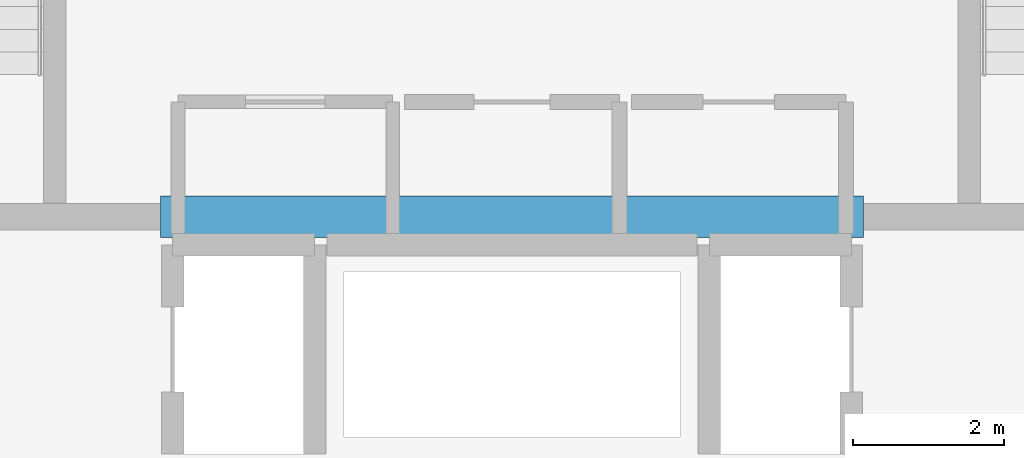
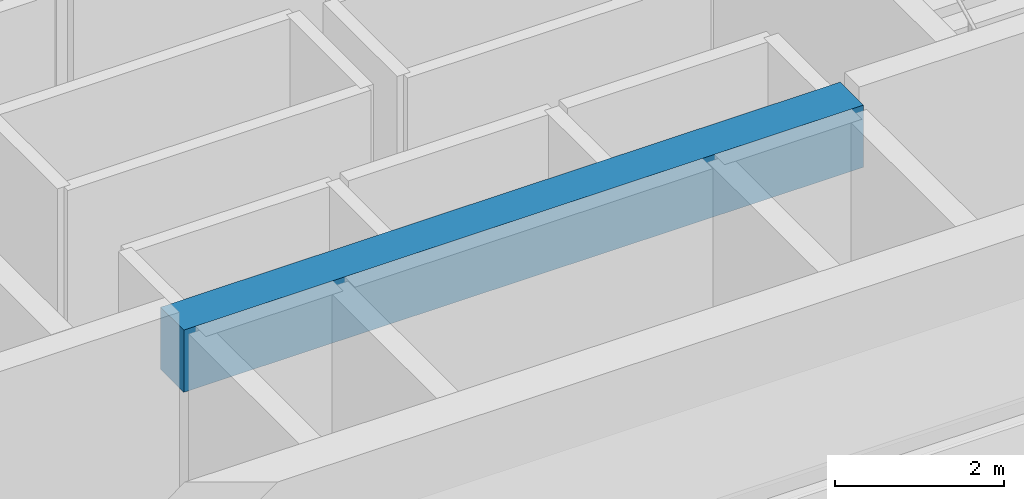
# One storey, part 9 of 43: 1 beam.
"""IFC4 building model written with IfcOpenShell, lengths in metres."""

from ifc_helpers import new_model, si_unit, direction, frame, origin, origin_2d, place, context, subcontext, project, spatial, rectangle, extrude, material, material_profile, profile_set, type_object, element, save


model = new_model("IFC4")

# Units and contexts
model_context = context("Model", 3, precision=1e-05, world=origin(), true_north=direction((0.0, 1.0)))
body_context = subcontext(model_context, "Body", "Model", "MODEL_VIEW")
ifc_project = project(units=[si_unit("LENGTHUNIT", "METRE"), si_unit("AREAUNIT", "SQUARE_METRE"), si_unit("VOLUMEUNIT", "CUBIC_METRE"), si_unit("PLANEANGLEUNIT", "RADIAN"), si_unit("MASSUNIT", "GRAM", prefix="KILO")], contexts=[model_context])

# Site, building, storey
site_placement = place(None, origin())
site = spatial("IfcSite", under=ifc_project, at=site_placement, CompositionType="ELEMENT")
building_placement = place(site_placement, origin())
building = spatial("IfcBuilding", under=site, at=building_placement, Name="Punatoya Terracotta Tower", CompositionType="ELEMENT")
storey_placement = place(building_placement, frame((0.0, 0.0, 300.60009765625)))
storey = spatial("IfcBuildingStorey", under=building, at=storey_placement, Name="L71", CompositionType="ELEMENT", Elevation=300.60009765625)

# Beam
ifc_material = material(Name="Concrete C50/60", Category="concrete")
ifc_material_profile = material_profile(ifc_material, rectangle(XDim=0.550048828125, YDim=0.89990234375, at=origin_2d()))
ifc_profile_set = profile_set([ifc_material_profile], Name="Concrete C50/60")
beam_type = type_object("IfcBeamType", Name="BM-RC-900", PredefinedType="LINTEL", material=ifc_profile_set)
beam_placement = place(storey_placement, frame((-4.64990234375, -5.679931640625, 3.5498046875), z_axis=(1.0, 0.0, 0.0), x_axis=(0.0, 1.0, 0.0)))
element("IfcBeam", 1, at=beam_placement, inside=storey, type_object=beam_type, Name="L71 Core Coupling Lintel CSW", PredefinedType="LINTEL", context=body_context, shape_type="SweptSolid", body=[
    extrude(rectangle(XDim=0.550048828125, YDim=0.89990234375, at=origin_2d()), origin(), (0.0, 0.0, 1.0), 9.2998046875),
])

save(model, "model.ifc")
